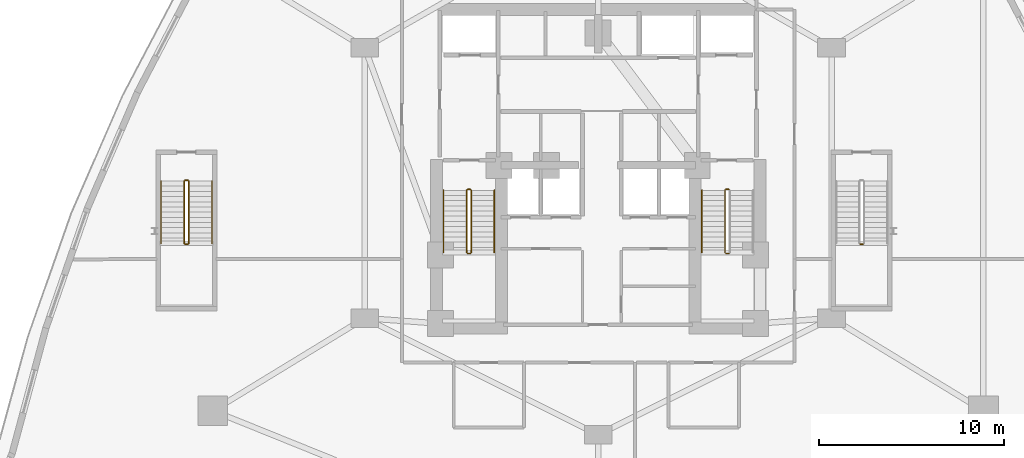
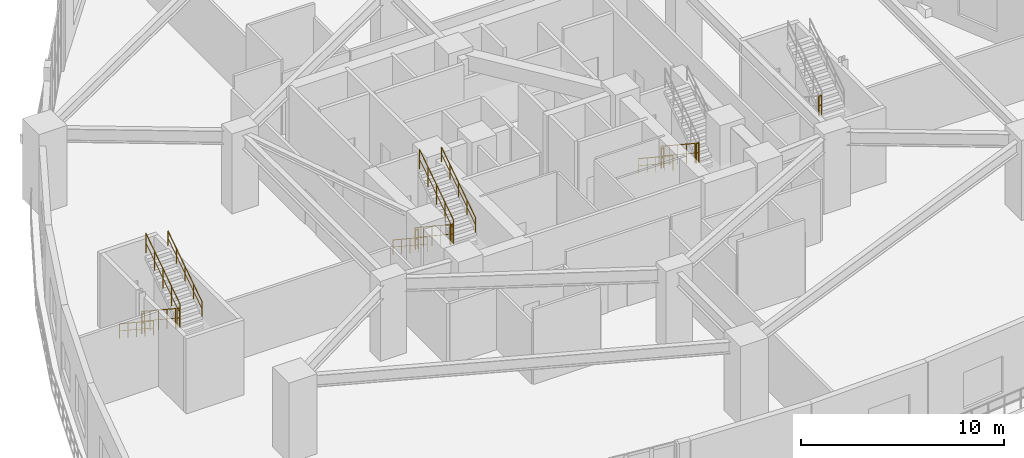
# One storey, part 20 of 23: 17 railings.
"""IFC4 building model written with IfcOpenShell, lengths in metres."""

from ifc_helpers import new_model, si_unit, direction, frame, origin, origin_2d, place, context, subcontext, project, spatial, circle, extrude, material, type_object, element, save


model = new_model("IFC4")

# Units and contexts
model_context = context("Model", 3, precision=1e-05, world=origin(), true_north=direction((0.0, 1.0)))
body_context = subcontext(model_context, "Body", "Model", "MODEL_VIEW")
ifc_project = project(units=[si_unit("LENGTHUNIT", "METRE"), si_unit("AREAUNIT", "SQUARE_METRE"), si_unit("VOLUMEUNIT", "CUBIC_METRE"), si_unit("PLANEANGLEUNIT", "RADIAN"), si_unit("MASSUNIT", "GRAM", prefix="KILO")], contexts=[model_context])

# Site, building, storey
site_placement = place(None, origin())
site = spatial("IfcSite", under=ifc_project, at=site_placement, CompositionType="ELEMENT")
building_placement = place(site_placement, origin())
building = spatial("IfcBuilding", under=site, at=building_placement, Name="Miruveldt Soraemaru", CompositionType="ELEMENT")
storey_placement = place(building_placement, frame((0.0, 0.0, 14.39990234375)))
storey = spatial("IfcBuildingStorey", under=building, at=storey_placement, Name="L04", CompositionType="ELEMENT", Elevation=14.39990234375)

# Railings
ifc_material = material(Name="Steel S355 (355 MPa)", Category="steel")
railing_type_1 = type_object("IfcRailingType", Name="RAIL-HR-900", PredefinedType="HANDRAIL", material=ifc_material)
railing_1_placement = place(storey_placement, frame((35.64990234375, 42.699951171875, 0.184814453125)))
element("IfcRailing", 1, at=railing_1_placement, inside=storey, type_object=railing_type_1, Name="L04 ST-1 stair handrail 1", PredefinedType="HANDRAIL", context=body_context, shape_type="SweptSolid", body=[
    extrude(circle(Radius=0.02392578125, at=origin_2d()), frame((0.0, 0.0, 0.8759765625), z_axis=(0.0, -0.834858096282, 0.550465220583), x_axis=(1.0, 0.0, 0.0)), (0.0, 0.0, 1.0), 4.0244140625),
    extrude(circle(Radius=0.01611328125, at=origin_2d()), frame((0.0, 0.0, 0.449951171875), z_axis=(0.0, -0.834858096282, 0.550465220583), x_axis=(1.0, 0.0, 0.0)), (0.0, 0.0, 1.0), 4.0244140625),
    extrude(circle(Radius=0.02099609375, at=origin_2d()), origin(), (0.0, 0.0, 1.0), 0.851806640625),
    extrude(circle(Radius=0.02099609375, at=origin_2d()), frame((0.0, -0.83984375, 0.5537109375)), (0.0, 0.0, 1.0), 0.851806640625),
    extrude(circle(Radius=0.02099609375, at=origin_2d()), frame((0.0, -1.679931640625, 1.107666015625)), (0.0, 0.0, 1.0), 0.851806640625),
    extrude(circle(Radius=0.02099609375, at=origin_2d()), frame((0.0, -2.52001953125, 1.66162109375)), (0.0, 0.0, 1.0), 0.851806640625),
    extrude(circle(Radius=0.02099609375, at=origin_2d()), frame((0.0, -3.35986328125, 2.21533203125)), (0.0, 0.0, 1.0), 0.851806640625),
])
railing_2_placement = place(storey_placement, frame((38.39990234375, 39.340087890625, 2.584716796875)))
element("IfcRailing", 2, at=railing_2_placement, inside=storey, type_object=railing_type_1, Name="L04 ST-1 stair handrail 2", PredefinedType="HANDRAIL", context=body_context, shape_type="SweptSolid", body=[
    extrude(circle(Radius=0.02392578125, at=origin_2d()), frame((0.0, 0.0, 0.8759765625), z_axis=(0.0, 0.834858096282, 0.550465220583), x_axis=(-1.0, 0.0, 0.0)), (0.0, 0.0, 1.0), 4.0244140625),
    extrude(circle(Radius=0.01611328125, at=origin_2d()), frame((0.0, 0.0, 0.449951171875), z_axis=(0.0, 0.834858096282, 0.550465220583), x_axis=(-1.0, 0.0, 0.0)), (0.0, 0.0, 1.0), 4.0244140625),
    extrude(circle(Radius=0.02099609375, at=origin_2d()), origin(), (0.0, 0.0, 1.0), 0.851806640625),
    extrude(circle(Radius=0.02099609375, at=origin_2d()), frame((0.0, 0.83984375, 0.5537109375)), (0.0, 0.0, 1.0), 0.851806640625),
    extrude(circle(Radius=0.02099609375, at=origin_2d()), frame((0.0, 1.679931640625, 1.107666015625)), (0.0, 0.0, 1.0), 0.851806640625),
    extrude(circle(Radius=0.02099609375, at=origin_2d()), frame((0.0, 2.52001953125, 1.66162109375)), (0.0, 0.0, 1.0), 0.851806640625),
    extrude(circle(Radius=0.02099609375, at=origin_2d()), frame((0.0, 3.35986328125, 2.21533203125)), (0.0, 0.0, 1.0), 0.851806640625),
])
for number, where, name in (
    (3, (49.60009765625, 42.699951171875, 0.184814453125), "L04 ST-2 stair handrail 1"),
    (4, (20.39990234375, 43.199951171875, 0.184814453125), "L04 ST-3 stair handrail 1"),
):
    element("IfcRailing", number, at=place(storey_placement, frame(where)), inside=storey, type_object=railing_type_1, Name=name, PredefinedType="HANDRAIL", context=body_context, shape_type="SweptSolid", body=[
        extrude(circle(Radius=0.02392578125, at=origin_2d()), frame((0.0, 0.0, 0.8759765625), z_axis=(0.0, -0.834858096282, 0.550465220583), x_axis=(1.0, 0.0, 0.0)), (0.0, 0.0, 1.0), 4.0244140625),
        extrude(circle(Radius=0.01611328125, at=origin_2d()), frame((0.0, 0.0, 0.449951171875), z_axis=(0.0, -0.834858096282, 0.550465220583), x_axis=(1.0, 0.0, 0.0)), (0.0, 0.0, 1.0), 4.0244140625),
        extrude(circle(Radius=0.02099609375, at=origin_2d()), origin(), (0.0, 0.0, 1.0), 0.851806640625),
        extrude(circle(Radius=0.02099609375, at=origin_2d()), frame((0.0, -0.83984375, 0.5537109375)), (0.0, 0.0, 1.0), 0.851806640625),
        extrude(circle(Radius=0.02099609375, at=origin_2d()), frame((0.0, -1.679931640625, 1.107666015625)), (0.0, 0.0, 1.0), 0.851806640625),
        extrude(circle(Radius=0.02099609375, at=origin_2d()), frame((0.0, -2.52001953125, 1.66162109375)), (0.0, 0.0, 1.0), 0.851806640625),
        extrude(circle(Radius=0.02099609375, at=origin_2d()), frame((0.0, -3.35986328125, 2.21533203125)), (0.0, 0.0, 1.0), 0.851806640625),
    ])
railing_3_placement = place(storey_placement, frame((23.14990234375, 39.840087890625, 2.584716796875)))
element("IfcRailing", 5, at=railing_3_placement, inside=storey, type_object=railing_type_1, Name="L04 ST-3 stair handrail 2", PredefinedType="HANDRAIL", context=body_context, shape_type="SweptSolid", body=[
    extrude(circle(Radius=0.02392578125, at=origin_2d()), frame((0.0, 0.0, 0.8759765625), z_axis=(0.0, 0.834858096282, 0.550465220583), x_axis=(-1.0, 0.0, 0.0)), (0.0, 0.0, 1.0), 4.0244140625),
    extrude(circle(Radius=0.01611328125, at=origin_2d()), frame((0.0, 0.0, 0.449951171875), z_axis=(0.0, 0.834858096282, 0.550465220583), x_axis=(-1.0, 0.0, 0.0)), (0.0, 0.0, 1.0), 4.0244140625),
    extrude(circle(Radius=0.02099609375, at=origin_2d()), origin(), (0.0, 0.0, 1.0), 0.851806640625),
    extrude(circle(Radius=0.02099609375, at=origin_2d()), frame((0.0, 0.83984375, 0.5537109375)), (0.0, 0.0, 1.0), 0.851806640625),
    extrude(circle(Radius=0.02099609375, at=origin_2d()), frame((0.0, 1.679931640625, 1.107666015625)), (0.0, 0.0, 1.0), 0.851806640625),
    extrude(circle(Radius=0.02099609375, at=origin_2d()), frame((0.0, 2.52001953125, 1.66162109375)), (0.0, 0.0, 1.0), 0.851806640625),
    extrude(circle(Radius=0.02099609375, at=origin_2d()), frame((0.0, 3.35986328125, 2.21533203125)), (0.0, 0.0, 1.0), 0.851806640625),
])
railing_type_2 = type_object("IfcRailingType", Name="RAIL-STGUARD-1200", PredefinedType="GUARDRAIL", material=ifc_material)
railing_4_placement = place(storey_placement, frame((36.89990234375, 42.699951171875, 0.184814453125)))
element("IfcRailing", 6, at=railing_4_placement, inside=storey, type_object=railing_type_2, Name="L04 ST-1 stair guard 1", PredefinedType="GUARDRAIL", context=body_context, shape_type="SweptSolid", body=[
    extrude(circle(Radius=0.02392578125, at=origin_2d()), frame((0.0, 0.0, 1.17578125), z_axis=(0.0, -0.834858096282, 0.550465220583), x_axis=(1.0, 0.0, 0.0)), (0.0, 0.0, 1.0), 4.0244140625),
    extrude(circle(Radius=0.01611328125, at=origin_2d()), frame((0.0, 0.0, 0.60009765625), z_axis=(0.0, -0.834858096282, 0.550465220583), x_axis=(1.0, 0.0, 0.0)), (0.0, 0.0, 1.0), 4.0244140625),
    extrude(circle(Radius=0.02099609375, at=origin_2d()), origin(), (0.0, 0.0, 1.0), 1.15185546875),
    extrude(circle(Radius=0.02099609375, at=origin_2d()), frame((0.0, -0.83984375, 0.5537109375)), (0.0, 0.0, 1.0), 1.15185546875),
    extrude(circle(Radius=0.02099609375, at=origin_2d()), frame((0.0, -1.679931640625, 1.107666015625)), (0.0, 0.0, 1.0), 1.15185546875),
    extrude(circle(Radius=0.02099609375, at=origin_2d()), frame((0.0, -2.52001953125, 1.66162109375)), (0.0, 0.0, 1.0), 1.15185546875),
    extrude(circle(Radius=0.02099609375, at=origin_2d()), frame((0.0, -3.35986328125, 2.21533203125)), (0.0, 0.0, 1.0), 1.15185546875),
])
railing_5_placement = place(storey_placement, frame((36.949951171875, 39.2900390625, 2.400146484375)))
element("IfcRailing", 7, at=railing_5_placement, inside=storey, type_object=railing_type_2, Name="L04 ST-1 stair guard 2", PredefinedType="GUARDRAIL", context=body_context, shape_type="SweptSolid", body=[
    extrude(circle(Radius=0.02392578125, at=origin_2d()), frame((0.0, 0.0, 1.17578125), z_axis=(1.0, 0.0, 0.0), x_axis=(0.0, 1.0, 0.0)), (0.0, 0.0, 1.0), 0.150146484375),
    extrude(circle(Radius=0.01611328125, at=origin_2d()), frame((0.0, 0.0, 0.60009765625), z_axis=(1.0, 0.0, 0.0), x_axis=(0.0, 1.0, 0.0)), (0.0, 0.0, 1.0), 0.150146484375),
    extrude(circle(Radius=0.02099609375, at=origin_2d()), origin(), (0.0, 0.0, 1.0), 1.15185546875),
    extrude(circle(Radius=0.02099609375, at=origin_2d()), frame((0.150146484375, 0.0, 0.0)), (0.0, 0.0, 1.0), 1.15185546875),
])
railing_6_placement = place(storey_placement, frame((37.14990234375, 39.340087890625, 2.584716796875)))
element("IfcRailing", 8, at=railing_6_placement, inside=storey, type_object=railing_type_2, Name="L04 ST-1 stair guard 3", PredefinedType="GUARDRAIL", context=body_context, shape_type="SweptSolid", body=[
    extrude(circle(Radius=0.02392578125, at=origin_2d()), frame((0.0, 0.0, 1.17578125), z_axis=(0.0, 0.834858096282, 0.550465220583), x_axis=(-1.0, 0.0, 0.0)), (0.0, 0.0, 1.0), 4.0244140625),
    extrude(circle(Radius=0.01611328125, at=origin_2d()), frame((0.0, 0.0, 0.60009765625), z_axis=(0.0, 0.834858096282, 0.550465220583), x_axis=(-1.0, 0.0, 0.0)), (0.0, 0.0, 1.0), 4.0244140625),
    extrude(circle(Radius=0.02099609375, at=origin_2d()), origin(), (0.0, 0.0, 1.0), 1.15185546875),
    extrude(circle(Radius=0.02099609375, at=origin_2d()), frame((0.0, 0.83984375, 0.5537109375)), (0.0, 0.0, 1.0), 1.15185546875),
    extrude(circle(Radius=0.02099609375, at=origin_2d()), frame((0.0, 1.679931640625, 1.107666015625)), (0.0, 0.0, 1.0), 1.15185546875),
    extrude(circle(Radius=0.02099609375, at=origin_2d()), frame((0.0, 2.52001953125, 1.66162109375)), (0.0, 0.0, 1.0), 1.15185546875),
    extrude(circle(Radius=0.02099609375, at=origin_2d()), frame((0.0, 3.35986328125, 2.21533203125)), (0.0, 0.0, 1.0), 1.15185546875),
])
railing_7_placement = place(storey_placement, frame((36.949951171875, 42.75, 0.0)))
element("IfcRailing", 9, at=railing_7_placement, inside=storey, type_object=railing_type_2, Name="L04 ST-1 stair guard 4", PredefinedType="GUARDRAIL", context=body_context, shape_type="SweptSolid", body=[
    extrude(circle(Radius=0.02392578125, at=origin_2d()), frame((0.0, 0.0, 1.17578125), z_axis=(1.0, 0.0, 0.0), x_axis=(0.0, 1.0, 0.0)), (0.0, 0.0, 1.0), 0.150146484375),
    extrude(circle(Radius=0.01611328125, at=origin_2d()), frame((0.0, 0.0, 0.60009765625), z_axis=(1.0, 0.0, 0.0), x_axis=(0.0, 1.0, 0.0)), (0.0, 0.0, 1.0), 0.150146484375),
    extrude(circle(Radius=0.02099609375, at=origin_2d()), origin(), (0.0, 0.0, 1.0), 1.15185546875),
    extrude(circle(Radius=0.02099609375, at=origin_2d()), frame((0.150146484375, 0.0, 0.0)), (0.0, 0.0, 1.0), 1.15185546875),
])
railing_8_placement = place(storey_placement, frame((50.85009765625, 42.699951171875, 0.184814453125)))
element("IfcRailing", 10, at=railing_8_placement, inside=storey, type_object=railing_type_2, Name="L04 ST-2 stair guard 1", PredefinedType="GUARDRAIL", context=body_context, shape_type="SweptSolid", body=[
    extrude(circle(Radius=0.02392578125, at=origin_2d()), frame((0.0, 0.0, 1.17578125), z_axis=(0.0, -0.834858096282, 0.550465220583), x_axis=(1.0, 0.0, 0.0)), (0.0, 0.0, 1.0), 4.0244140625),
    extrude(circle(Radius=0.01611328125, at=origin_2d()), frame((0.0, 0.0, 0.60009765625), z_axis=(0.0, -0.834858096282, 0.550465220583), x_axis=(1.0, 0.0, 0.0)), (0.0, 0.0, 1.0), 4.0244140625),
    extrude(circle(Radius=0.02099609375, at=origin_2d()), origin(), (0.0, 0.0, 1.0), 1.15185546875),
    extrude(circle(Radius=0.02099609375, at=origin_2d()), frame((0.0, -0.83984375, 0.5537109375)), (0.0, 0.0, 1.0), 1.15185546875),
    extrude(circle(Radius=0.02099609375, at=origin_2d()), frame((0.0, -1.679931640625, 1.107666015625)), (0.0, 0.0, 1.0), 1.15185546875),
    extrude(circle(Radius=0.02099609375, at=origin_2d()), frame((0.0, -2.52001953125, 1.66162109375)), (0.0, 0.0, 1.0), 1.15185546875),
    extrude(circle(Radius=0.02099609375, at=origin_2d()), frame((0.0, -3.35986328125, 2.21533203125)), (0.0, 0.0, 1.0), 1.15185546875),
])
for number, where, name in (
    (11, (50.89990234375, 39.2900390625, 2.400146484375), "L04 ST-2 stair guard 2"),
    (12, (50.89990234375, 42.75, 0.0), "L04 ST-2 stair guard 4"),
):
    element("IfcRailing", number, at=place(storey_placement, frame(where)), inside=storey, type_object=railing_type_2, Name=name, PredefinedType="GUARDRAIL", context=body_context, shape_type="SweptSolid", body=[
        extrude(circle(Radius=0.02392578125, at=origin_2d()), frame((0.0, 0.0, 1.17578125), z_axis=(1.0, 0.0, 0.0), x_axis=(0.0, 1.0, 0.0)), (0.0, 0.0, 1.0), 0.150146484375),
        extrude(circle(Radius=0.01611328125, at=origin_2d()), frame((0.0, 0.0, 0.60009765625), z_axis=(1.0, 0.0, 0.0), x_axis=(0.0, 1.0, 0.0)), (0.0, 0.0, 1.0), 0.150146484375),
        extrude(circle(Radius=0.02099609375, at=origin_2d()), origin(), (0.0, 0.0, 1.0), 1.15185546875),
        extrude(circle(Radius=0.02099609375, at=origin_2d()), frame((0.150146484375, 0.0, 0.0)), (0.0, 0.0, 1.0), 1.15185546875),
    ])
railing_9_placement = place(storey_placement, frame((21.64990234375, 43.199951171875, 0.184814453125)))
element("IfcRailing", 13, at=railing_9_placement, inside=storey, type_object=railing_type_2, Name="L04 ST-3 stair guard 1", PredefinedType="GUARDRAIL", context=body_context, shape_type="SweptSolid", body=[
    extrude(circle(Radius=0.02392578125, at=origin_2d()), frame((0.0, 0.0, 1.17578125), z_axis=(0.0, -0.834858096282, 0.550465220583), x_axis=(1.0, 0.0, 0.0)), (0.0, 0.0, 1.0), 4.0244140625),
    extrude(circle(Radius=0.01611328125, at=origin_2d()), frame((0.0, 0.0, 0.60009765625), z_axis=(0.0, -0.834858096282, 0.550465220583), x_axis=(1.0, 0.0, 0.0)), (0.0, 0.0, 1.0), 4.0244140625),
    extrude(circle(Radius=0.02099609375, at=origin_2d()), origin(), (0.0, 0.0, 1.0), 1.15185546875),
    extrude(circle(Radius=0.02099609375, at=origin_2d()), frame((0.0, -0.83984375, 0.5537109375)), (0.0, 0.0, 1.0), 1.15185546875),
    extrude(circle(Radius=0.02099609375, at=origin_2d()), frame((0.0, -1.679931640625, 1.107666015625)), (0.0, 0.0, 1.0), 1.15185546875),
    extrude(circle(Radius=0.02099609375, at=origin_2d()), frame((0.0, -2.52001953125, 1.66162109375)), (0.0, 0.0, 1.0), 1.15185546875),
    extrude(circle(Radius=0.02099609375, at=origin_2d()), frame((0.0, -3.35986328125, 2.21533203125)), (0.0, 0.0, 1.0), 1.15185546875),
])
railing_10_placement = place(storey_placement, frame((21.699951171875, 39.7900390625, 2.400146484375)))
element("IfcRailing", 14, at=railing_10_placement, inside=storey, type_object=railing_type_2, Name="L04 ST-3 stair guard 2", PredefinedType="GUARDRAIL", context=body_context, shape_type="SweptSolid", body=[
    extrude(circle(Radius=0.02392578125, at=origin_2d()), frame((0.0, 0.0, 1.17578125), z_axis=(1.0, 0.0, 0.0), x_axis=(0.0, 1.0, 0.0)), (0.0, 0.0, 1.0), 0.150146484375),
    extrude(circle(Radius=0.01611328125, at=origin_2d()), frame((0.0, 0.0, 0.60009765625), z_axis=(1.0, 0.0, 0.0), x_axis=(0.0, 1.0, 0.0)), (0.0, 0.0, 1.0), 0.150146484375),
    extrude(circle(Radius=0.02099609375, at=origin_2d()), origin(), (0.0, 0.0, 1.0), 1.15185546875),
    extrude(circle(Radius=0.02099609375, at=origin_2d()), frame((0.150146484375, 0.0, 0.0)), (0.0, 0.0, 1.0), 1.15185546875),
])
railing_11_placement = place(storey_placement, frame((21.89990234375, 39.840087890625, 2.584716796875)))
element("IfcRailing", 15, at=railing_11_placement, inside=storey, type_object=railing_type_2, Name="L04 ST-3 stair guard 3", PredefinedType="GUARDRAIL", context=body_context, shape_type="SweptSolid", body=[
    extrude(circle(Radius=0.02392578125, at=origin_2d()), frame((0.0, 0.0, 1.17578125), z_axis=(0.0, 0.834858096282, 0.550465220583), x_axis=(-1.0, 0.0, 0.0)), (0.0, 0.0, 1.0), 4.0244140625),
    extrude(circle(Radius=0.01611328125, at=origin_2d()), frame((0.0, 0.0, 0.60009765625), z_axis=(0.0, 0.834858096282, 0.550465220583), x_axis=(-1.0, 0.0, 0.0)), (0.0, 0.0, 1.0), 4.0244140625),
    extrude(circle(Radius=0.02099609375, at=origin_2d()), origin(), (0.0, 0.0, 1.0), 1.15185546875),
    extrude(circle(Radius=0.02099609375, at=origin_2d()), frame((0.0, 0.83984375, 0.5537109375)), (0.0, 0.0, 1.0), 1.15185546875),
    extrude(circle(Radius=0.02099609375, at=origin_2d()), frame((0.0, 1.679931640625, 1.107666015625)), (0.0, 0.0, 1.0), 1.15185546875),
    extrude(circle(Radius=0.02099609375, at=origin_2d()), frame((0.0, 2.52001953125, 1.66162109375)), (0.0, 0.0, 1.0), 1.15185546875),
    extrude(circle(Radius=0.02099609375, at=origin_2d()), frame((0.0, 3.35986328125, 2.21533203125)), (0.0, 0.0, 1.0), 1.15185546875),
])
for number, where, name in (
    (16, (21.699951171875, 43.25, 0.0), "L04 ST-3 stair guard 4"),
    (17, (58.14990234375, 39.7900390625, 2.400146484375), "L04 ST-4 stair guard 2"),
):
    element("IfcRailing", number, at=place(storey_placement, frame(where)), inside=storey, type_object=railing_type_2, Name=name, PredefinedType="GUARDRAIL", context=body_context, shape_type="SweptSolid", body=[
        extrude(circle(Radius=0.02392578125, at=origin_2d()), frame((0.0, 0.0, 1.17578125), z_axis=(1.0, 0.0, 0.0), x_axis=(0.0, 1.0, 0.0)), (0.0, 0.0, 1.0), 0.150146484375),
        extrude(circle(Radius=0.01611328125, at=origin_2d()), frame((0.0, 0.0, 0.60009765625), z_axis=(1.0, 0.0, 0.0), x_axis=(0.0, 1.0, 0.0)), (0.0, 0.0, 1.0), 0.150146484375),
        extrude(circle(Radius=0.02099609375, at=origin_2d()), origin(), (0.0, 0.0, 1.0), 1.15185546875),
        extrude(circle(Radius=0.02099609375, at=origin_2d()), frame((0.150146484375, 0.0, 0.0)), (0.0, 0.0, 1.0), 1.15185546875),
    ])

save(model, "model.ifc")
